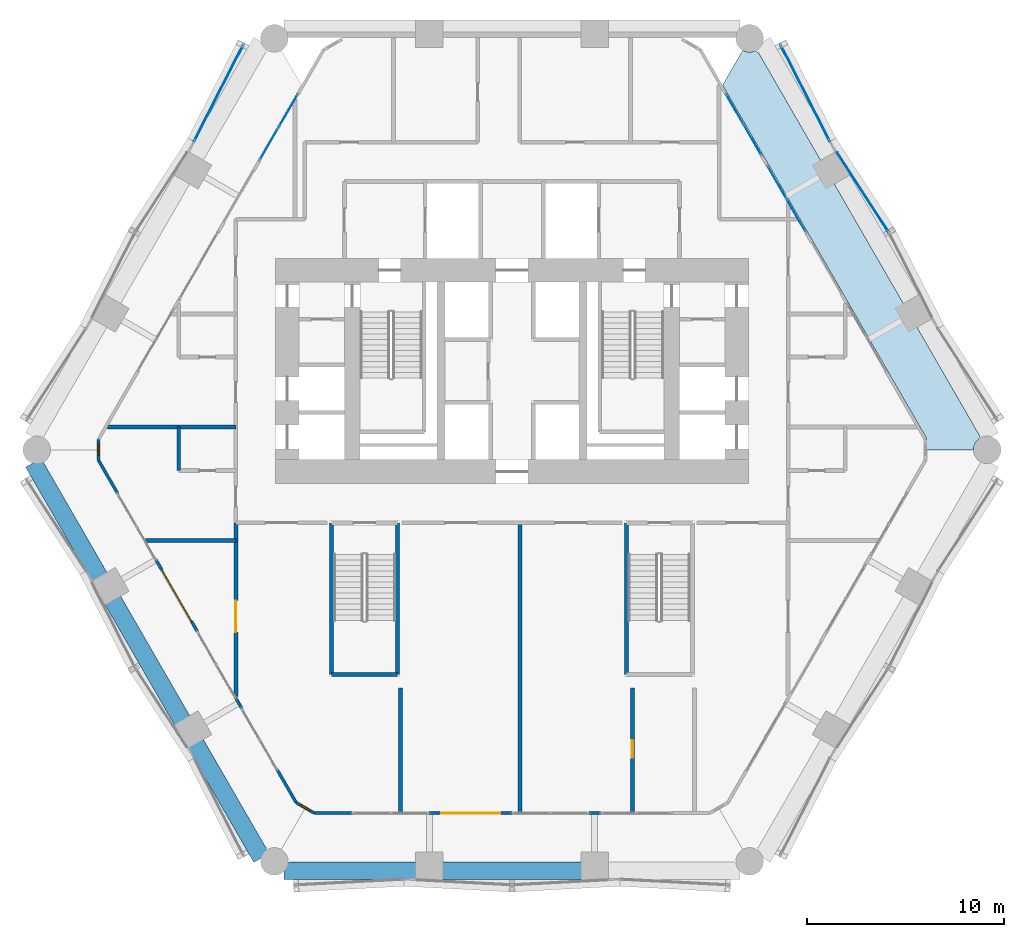
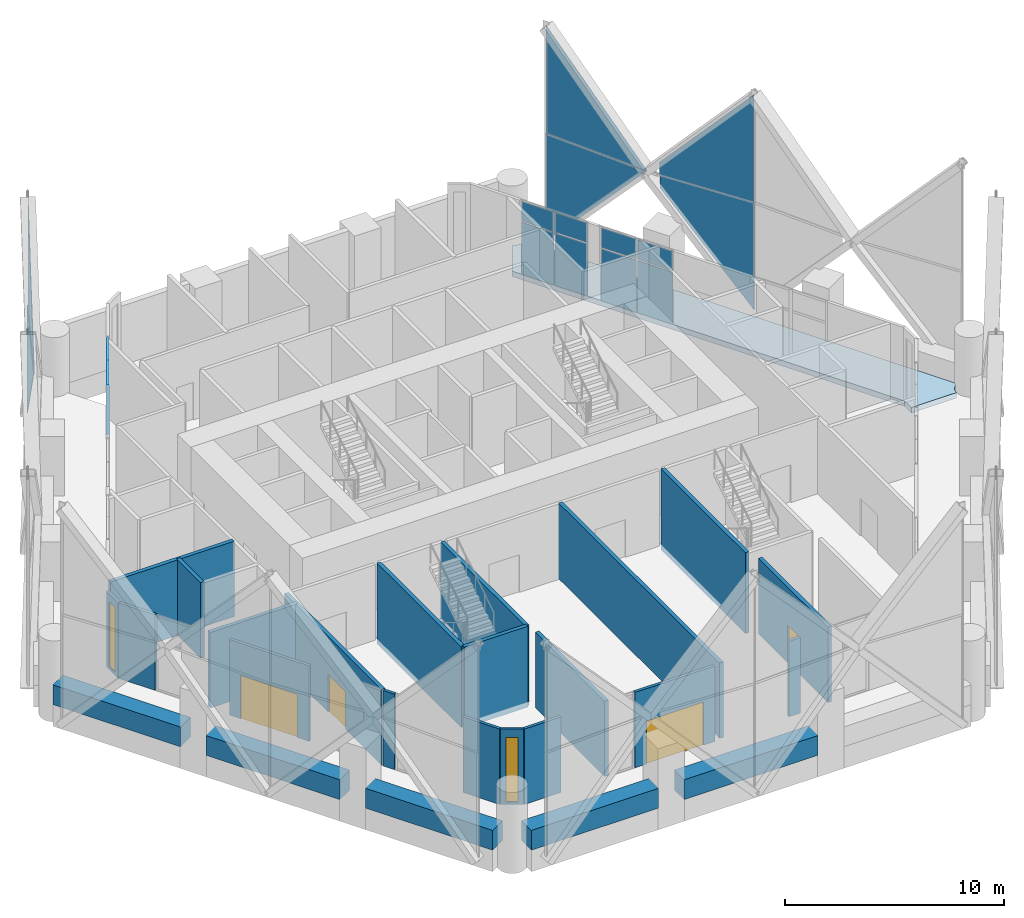
# One storey, part 36 of 46: 25 walls, 17 plates, 4 doors, 2 windows, 1 slab, 6 openings, 9 elements without a shape of their own.
"""IFC4 building model written with IfcOpenShell, lengths in metres."""

import ifcopenshell
import ifcopenshell.guid

model = None  # the IFC model being written
_history = None  # IfcOwnerHistory: only IFC2X3 demands one
_inside = {}  # id of a spatial element -> (the spatial element, [elements in it])
_under = {}  # id of a project, library or spatial element -> (it, [spatial elements below it])
_declared = {}  # id of a project -> (the project, [libraries it declares])
_typed = {}  # id of a type object -> (the type object, [elements of that type])
_made_of = {}  # id of a material, layer set ... -> (it, [elements and type objects made of it])


def new_model(schema):
    """Start an empty IFC model of exactly this schema.

    Asked for "IFC4X3", IfcOpenShell would pick the latest addendum, in which some entities
    have other attributes; the version numbers below select the first issue.
    IFC2X3 requires an IfcOwnerHistory on every rooted entity: one is made here for all.
    """
    global model, _history
    if schema == "IFC4X3":
        model = ifcopenshell.file(schema_version=(4, 3, 0, 0))
    else:
        model = ifcopenshell.file(schema=schema)
    _inside.clear()
    _under.clear()
    _declared.clear()
    _typed.clear()
    _made_of.clear()
    _history = None
    if model.schema == "IFC2X3":
        org = make("IfcOrganization", Name="unknown")
        user = make(
            "IfcPersonAndOrganization",
            ThePerson=make("IfcPerson", FamilyName="unknown"),
            TheOrganization=org,
        )
        app = make(
            "IfcApplication",
            ApplicationDeveloper=org,
            Version="unknown",
            ApplicationFullName="unknown",
            ApplicationIdentifier="unknown",
        )
        _history = make(
            "IfcOwnerHistory",
            OwningUser=user,
            OwningApplication=app,
            ChangeAction="ADDED",
            CreationDate=0,
        )
    return model


def make(cls, **values):
    """One entity of the class cls with the attributes given. An attribute that is None is left unset."""
    return model.create_entity(
        cls, **{name: value for name, value in values.items() if value is not None}
    )


def rooted(cls, **values):
    """An entity with a GlobalId (a new one), such as an element, a storey or a relation."""
    return make(cls, GlobalId=ifcopenshell.guid.new(), OwnerHistory=_history, **values)


def si_unit(unit_type, name, prefix=None):
    """IfcSIUnit, for example si_unit("LENGTHUNIT", "METRE", prefix="MILLI")."""
    return make("IfcSIUnit", UnitType=unit_type, Prefix=prefix, Name=name)


def assignment(units):
    """IfcUnitAssignment: the units of a project."""
    return None if units is None else make("IfcUnitAssignment", Units=units)


def point(xyz):
    """IfcCartesianPoint."""
    return None if xyz is None else make("IfcCartesianPoint", Coordinates=xyz)


def direction(xyz):
    """IfcDirection."""
    return None if xyz is None else make("IfcDirection", DirectionRatios=xyz)


def frame(location, z_axis=None, x_axis=None):
    """IfcAxis2Placement3D, a coordinate frame: its origin and axes. An axis left out is left unset."""
    return make(
        "IfcAxis2Placement3D",
        Location=point(location),
        Axis=direction(z_axis),
        RefDirection=direction(x_axis),
    )


def frame_2d(location, x_axis=None):
    """IfcAxis2Placement2D, a coordinate frame in the plane: its origin and x axis."""
    return make(
        "IfcAxis2Placement2D", Location=point(location), RefDirection=direction(x_axis)
    )


def origin():
    """The frame at (0, 0, 0) with its axes left unset."""
    return frame((0.0, 0.0, 0.0))


def origin_2d():
    """The frame at (0, 0) in the plane with its x axis left unset."""
    return frame_2d((0.0, 0.0))


def place(relative_to, where):
    """IfcLocalPlacement: puts the frame where relative to a parent placement (None: the world)."""
    return make(
        "IfcLocalPlacement", PlacementRelTo=relative_to, RelativePlacement=where
    )


def context(
    kind, dimensions, precision=None, world=None, true_north=None, identifier=None
):
    """IfcGeometricRepresentationContext, for example the 3D "Model" context."""
    return make(
        "IfcGeometricRepresentationContext",
        ContextIdentifier=identifier,
        ContextType=kind,
        CoordinateSpaceDimension=dimensions,
        Precision=precision,
        WorldCoordinateSystem=world,
        TrueNorth=true_north,
    )


def subcontext(parent, identifier, kind, view, scale=None):
    """IfcGeometricRepresentationSubContext, for example "Body" below "Model"."""
    return make(
        "IfcGeometricRepresentationSubContext",
        ContextIdentifier=identifier,
        ContextType=kind,
        ParentContext=parent,
        TargetScale=scale,
        TargetView=view,
    )


def project(units=None, contexts=None):
    """IfcProject with its units and contexts."""
    return rooted(
        "IfcProject",
        Name="project",
        RepresentationContexts=contexts,
        UnitsInContext=assignment(units),
    )


def spatial(cls, under=None, at=None, **own):
    """A site, building, storey or space (cls), placed at a placement, below another one or the project."""
    s = rooted(cls, ObjectPlacement=at, **own)
    if under is not None:
        _under.setdefault(under.id(), (under, []))[1].append(s)
    return s


def polyline(points):
    """IfcPolyline through the points."""
    return make("IfcPolyline", Points=[point(p) for p in points])


def profile(cls, at=None, kind="AREA", **sizes):
    """A parametric profile (cls). Its sizes go by their IFC names, for example OverallWidth=200.0."""
    return make(cls, ProfileType=kind, Position=at, **sizes)


def rectangle(**sizes):
    """IfcRectangleProfileDef."""
    return profile("IfcRectangleProfileDef", **sizes)


def outline(outer, holes=None, kind="AREA"):
    """IfcArbitraryClosedProfileDef: a profile drawn as a closed curve; with holes, ...WithVoids."""
    if holes is None:
        return make("IfcArbitraryClosedProfileDef", ProfileType=kind, OuterCurve=outer)
    return make(
        "IfcArbitraryProfileDefWithVoids",
        ProfileType=kind,
        OuterCurve=outer,
        InnerCurves=holes,
    )


def extrude(swept, where, along, depth):
    """IfcExtrudedAreaSolid: the profile swept, set in the frame where, extruded along a direction by depth."""
    return make(
        "IfcExtrudedAreaSolid",
        SweptArea=swept,
        Position=where,
        ExtrudedDirection=direction(along),
        Depth=depth,
    )


def shape(context_of_items, identifier, shape_type, items):
    """IfcShapeRepresentation: the items that make up one representation, for example the "Body"."""
    return make(
        "IfcShapeRepresentation",
        ContextOfItems=context_of_items,
        RepresentationIdentifier=identifier,
        RepresentationType=shape_type,
        Items=items,
    )


def material(Name=None, Category=None):
    """IfcMaterial."""
    return make("IfcMaterial", Name=Name, Category=Category)


def layer(
    of_material, thickness, ventilated=None, Name=None, Category=None, Priority=None
):
    """IfcMaterialLayer: one layer of a wall or slab, of a material (None: an air gap)."""
    return make(
        "IfcMaterialLayer",
        Material=of_material,
        LayerThickness=thickness,
        IsVentilated=ventilated,
        Name=Name,
        Category=Category,
        Priority=Priority,
    )


def layer_set(layers, Name=None):
    """IfcMaterialLayerSet."""
    return make("IfcMaterialLayerSet", MaterialLayers=layers, LayerSetName=Name)


def made_of(thing, what):
    """Note that an element or type object is made of a material, layer set ...; save() writes the relation."""
    if what is not None:
        _made_of.setdefault(what.id(), (what, []))[1].append(thing)
    return thing


def type_object(cls, material=None, **own):
    """A type object (cls), such as IfcWallType, which elements share."""
    return made_of(rooted(cls, **own), material)


def element(
    cls,
    number,
    at=None,
    inside=None,
    cuts=None,
    type_object=None,
    material=None,
    context=None,
    identifier="Body",
    shape_type=None,
    held_by="IfcProductDefinitionShape",
    body=None,
    shapes=None,
    **own,
):
    """One element of the class cls, such as IfcWall. Its Tag is "e" and its number.

    at: its placement. inside: the storey or other place that contains it. cuts: it is an
    opening in that element (IfcRelVoidsElement). A single representation is given by context,
    identifier, shape_type and body (its items); several are given by shapes. held_by: the class
    of the entity that holds the representations. save() writes the other relations.
    """
    e = rooted(cls, Tag="e%d" % number, ObjectPlacement=at, **own)
    if body is not None:
        shapes = [shape(context, identifier, shape_type, body)]
    if shapes is not None:
        e.Representation = make(held_by, Representations=shapes)
    if inside is not None:
        _inside.setdefault(inside.id(), (inside, []))[1].append(e)
    if cuts is not None:
        rooted(
            "IfcRelVoidsElement", RelatingBuildingElement=cuts, RelatedOpeningElement=e
        )
    if type_object is not None:
        _typed.setdefault(type_object.id(), (type_object, []))[1].append(e)
    return made_of(e, material)


def fill(opening, filler):
    """IfcRelFillsElement: the door or window that sits in an opening."""
    return rooted(
        "IfcRelFillsElement",
        RelatingOpeningElement=opening,
        RelatedBuildingElement=filler,
    )


def aggregate(whole, parts):
    """IfcRelAggregates: a whole, such as a stair, and the parts it consists of."""
    return rooted("IfcRelAggregates", RelatingObject=whole, RelatedObjects=parts)


def save(model, path):
    """Write the relations noted so far, then the file.

    IfcRelAggregates (storeys below a building ...), IfcRelContainedInSpatialStructure (elements
    in a storey), IfcRelDefinesByType, IfcRelAssociatesMaterial and IfcRelDeclares: one each for
    every whole, place, type object, material and project.
    """
    for whole, parts in _under.values():
        aggregate(whole, parts)
    for where, things in _inside.values():
        rooted(
            "IfcRelContainedInSpatialStructure",
            RelatedElements=things,
            RelatingStructure=where,
        )
    for kind, things in _typed.values():
        rooted("IfcRelDefinesByType", RelatedObjects=things, RelatingType=kind)
    for what, things in _made_of.values():
        rooted("IfcRelAssociatesMaterial", RelatedObjects=things, RelatingMaterial=what)
    for by, libraries in _declared.values():
        rooted("IfcRelDeclares", RelatingContext=by, RelatedDefinitions=libraries)
    model.write(path)


model = new_model("IFC4")

# Units and contexts
model_context = context("Model", 3, precision=1e-05, world=origin(), true_north=direction((0.0, 1.0)))
body_context = subcontext(model_context, "Body", "Model", "MODEL_VIEW")
ifc_project = project(units=[si_unit("LENGTHUNIT", "METRE"), si_unit("AREAUNIT", "SQUARE_METRE"), si_unit("VOLUMEUNIT", "CUBIC_METRE"), si_unit("PLANEANGLEUNIT", "RADIAN"), si_unit("MASSUNIT", "GRAM", prefix="KILO")], contexts=[model_context])

# Site, building, storey
site_placement = place(None, origin())
site = spatial("IfcSite", under=ifc_project, at=site_placement, CompositionType="ELEMENT")
building_placement = place(site_placement, origin())
building = spatial("IfcBuilding", under=site, at=building_placement, Name="Ostrander Bayou Hotel Tower", CompositionType="ELEMENT")
storey_placement = place(building_placement, frame((0.0, 0.0, 23.5)))
storey = spatial("IfcBuildingStorey", under=building, at=storey_placement, Name="L05", CompositionType="ELEMENT", Elevation=23.5)

# Curtain wall, plate
ifc_material_1 = material(Name="Aluminium and clear glass", Category="aluminium")
curtain_wall_type_1 = type_object("IfcCurtainWallType", Name="CW-LAT lattice glazing", PredefinedType="NOTDEFINED", material=ifc_material_1)
curtain_wall_1_placement = place(storey_placement, origin())
curtain_wall_1 = element("IfcCurtainWall", 1, at=curtain_wall_1_placement, inside=storey, type_object=curtain_wall_type_1, Name="CW-LAT L05 NW 3", PredefinedType="NOTDEFINED")
ifc_material_2 = material(Name="Clear laminated glass", Category="glass")
ifc_layer_1 = layer(ifc_material_2, 0.028076171875)
ifc_layer_set_1 = layer_set([ifc_layer_1], Name="CW-LA glazing panel 28 mm")
plate_type_1 = type_object("IfcPlateType", Name="CW-LA glazing panel 28 mm", PredefinedType="CURTAIN_PANEL", material=ifc_layer_set_1)
plate_1_placement = place(storey_placement, frame((-16.126953125, 15.63330078125, 5.39990234375), z_axis=(0.891017407703, -0.453969139007, 0.0), x_axis=(0.306235162835, 0.60105596943, -0.738208471)))
plate_1 = element("IfcPlate", 2, at=plate_1_placement, type_object=plate_type_1, Name="CW-LAT panel 1", PredefinedType="CURTAIN_PANEL", context=body_context, shape_type="SweptSolid", body=[
    extrude(outline(polyline([(0.0, 0.0), (8.127785355637263, 0.0), (3.6985345296381307, 4.047435869829935), (0.0, 0.0)])), origin(), (0.0, 0.0, -1.0), 0.028076171875),
])
aggregate(curtain_wall_1, [plate_1])

curtain_wall_2_placement = place(storey_placement, origin())
curtain_wall_2 = element("IfcCurtainWall", 3, at=curtain_wall_2_placement, inside=storey, type_object=curtain_wall_type_1, Name="CW-LAT L05 NW 4", PredefinedType="NOTDEFINED")
plate_2_placement = place(storey_placement, frame((-16.126953125, 15.63330078125, 5.39990234375), z_axis=(-0.891017407703, 0.453969139007, 0.0), x_axis=(0.306235162835, 0.60105596943, 0.738208471)))
plate_2 = element("IfcPlate", 4, at=plate_2_placement, type_object=plate_type_1, Name="CW-LAT panel 2", PredefinedType="CURTAIN_PANEL", context=body_context, shape_type="SweptSolid", body=[
    extrude(outline(polyline([(0.0, 0.0), (8.127785355637263, 0.0), (3.6985345296381307, 4.047435869829935), (0.0, 0.0)])), origin(), (0.0, 0.0, -1.0), 0.028076171875),
])
aggregate(curtain_wall_2, [plate_2])

curtain_wall_3_placement = place(storey_placement, origin())
curtain_wall_3 = element("IfcCurtainWall", 5, at=curtain_wall_3_placement, inside=storey, type_object=curtain_wall_type_1, Name="CW-LAT L05 NE 3", PredefinedType="NOTDEFINED")
plate_3_placement = place(storey_placement, frame((16.4912109375, 15.072509765625, 4.668212890625), z_axis=(-0.83866831588, -0.544642502875, 0.0), x_axis=(0.367406343741, -0.56575103471, -0.738199394002)))
plate_3 = element("IfcPlate", 6, at=plate_3_placement, type_object=plate_type_1, Name="CW-LAT panel 5", PredefinedType="CURTAIN_PANEL", context=body_context, shape_type="SweptSolid", body=[
    extrude(outline(polyline([(0.0, 0.0), (7.1367039714257245, 4.440892098500626e-16), (2.7075076074163613, 4.047495468687549), (-0.5401327108942082, 0.49358495766831795), (0.0, 0.0)])), origin(), (0.0, 0.0, -1.0), 0.028076171875),
])
aggregate(curtain_wall_3, [plate_3])

curtain_wall_4_placement = place(storey_placement, origin())
curtain_wall_4 = element("IfcCurtainWall", 7, at=curtain_wall_4_placement, inside=storey, type_object=curtain_wall_type_1, Name="CW-LAT L05 NE 4", PredefinedType="NOTDEFINED")
plate_4_placement = place(storey_placement, frame((16.4912109375, 15.072509765625, 6.1318359375), z_axis=(0.83866831588, 0.544642502875, 0.0), x_axis=(0.367415622055, -0.565765321932, 0.738183826136)))
plate_4 = element("IfcPlate", 8, at=plate_4_placement, type_object=plate_type_1, Name="CW-LAT panel 6", PredefinedType="CURTAIN_PANEL", context=body_context, shape_type="SweptSolid", body=[
    extrude(outline(polyline([(0.0, 0.0), (7.136523748864649, 4.440892098500626e-16), (2.707420792046409, 4.04759768231774), (-0.5403015407121209, 0.4937621196121656), (0.0, 0.0)])), origin(), (0.0, 0.0, -1.0), 0.028076171875),
])
aggregate(curtain_wall_4, [plate_4])

curtain_wall_5_placement = place(storey_placement, origin())
curtain_wall_5 = element("IfcCurtainWall", 9, at=curtain_wall_5_placement, inside=storey, type_object=curtain_wall_type_1, Name="CW-LAT L05 NE 1", PredefinedType="NOTDEFINED")
plate_5_placement = place(storey_placement, frame((16.126953125, 15.63330078125, 5.39990234375), z_axis=(0.891017407703, 0.453969139007, 0.0), x_axis=(-0.306235162835, 0.60105596943, -0.738208471)))
plate_5 = element("IfcPlate", 10, at=plate_5_placement, type_object=plate_type_1, Name="CW-LAT panel 7", PredefinedType="CURTAIN_PANEL", context=body_context, shape_type="SweptSolid", body=[
    extrude(outline(polyline([(0.0, 0.0), (8.127785355637263, 0.0), (3.6985345296381307, 4.047435869829935), (0.0, 0.0)])), origin(), (0.0, 0.0, -1.0), 0.028076171875),
])
aggregate(curtain_wall_5, [plate_5])

curtain_wall_6_placement = place(storey_placement, origin())
curtain_wall_6 = element("IfcCurtainWall", 11, at=curtain_wall_6_placement, inside=storey, type_object=curtain_wall_type_1, Name="CW-LAT L05 NE 2", PredefinedType="NOTDEFINED")
plate_6_placement = place(storey_placement, frame((16.126953125, 15.63330078125, 5.39990234375), z_axis=(-0.891017407703, -0.453969139007, 0.0), x_axis=(-0.306235162835, 0.60105596943, 0.738208471)))
plate_6 = element("IfcPlate", 12, at=plate_6_placement, type_object=plate_type_1, Name="CW-LAT panel 8", PredefinedType="CURTAIN_PANEL", context=body_context, shape_type="SweptSolid", body=[
    extrude(outline(polyline([(0.0, 0.0), (8.127785355637263, 0.0), (3.6985345296381307, 4.047435869829935), (0.0, 0.0)])), origin(), (0.0, 0.0, -1.0), 0.028076171875),
])
aggregate(curtain_wall_6, [plate_6])

# Curtain wall, plates
ifc_material_3 = material(Name="Aluminium and clear glass", Category="aluminium")
curtain_wall_type_2 = type_object("IfcCurtainWallType", Name="CW-SKY amenity glass wall", PredefinedType="NOTDEFINED", material=ifc_material_3)
curtain_wall_7_placement = place(storey_placement, origin())
curtain_wall_7 = element("IfcCurtainWall", 13, at=curtain_wall_7_placement, inside=storey, type_object=curtain_wall_type_2, Name="CW-SKY L05 NW 1", PredefinedType="NOTDEFINED")
ifc_material_4 = material(Name="Clear laminated glass", Category="glass")
ifc_layer_2 = layer(ifc_material_4, 0.028076171875)
ifc_layer_set_2 = layer_set([ifc_layer_2], Name="CW-SK glazing panel 28 mm")
plate_type_2 = type_object("IfcPlateType", Name="CW-SK glazing panel 28 mm", PredefinedType="CURTAIN_PANEL", material=ifc_layer_set_2)
plate_7_placement = place(storey_placement, frame((-11.3515625, 17.188720703125, 0.06005859375), z_axis=(0.0, 0.0, 1.0), x_axis=(-0.499999897278, -0.866025463091, 0.0)))
plate_7 = element("IfcPlate", 14, at=plate_7_placement, type_object=plate_type_2, Name="CW-SKY panel 1.1", PredefinedType="CURTAIN_PANEL", context=body_context, shape_type="SweptSolid", body=[
    extrude(rectangle(XDim=1.860107421875, YDim=0.028076171875, at=origin_2d()), origin(), (0.0, 0.0, 1.0), 2.909912109375),
])
plate_8_placement = place(storey_placement, frame((-11.3515625, 17.188720703125, 3.02978515625), z_axis=(0.0, 0.0, 1.0), x_axis=(-0.499999897278, -0.866025463091, 0.0)))
plate_8 = element("IfcPlate", 15, at=plate_8_placement, type_object=plate_type_2, Name="CW-SKY panel 1.2", PredefinedType="CURTAIN_PANEL", context=body_context, shape_type="SweptSolid", body=[
    extrude(rectangle(XDim=1.860107421875, YDim=0.028076171875, at=origin_2d()), origin(), (0.0, 0.0, 1.0), 1.110107421875),
])
plate_9_placement = place(storey_placement, frame((-12.3115234375, 15.52587890625, 3.02978515625), z_axis=(0.0, 0.0, 1.0), x_axis=(-0.499999897278, -0.866025463091, 0.0)))
plate_9 = element("IfcPlate", 16, at=plate_9_placement, type_object=plate_type_2, Name="CW-SKY panel 2.2", PredefinedType="CURTAIN_PANEL", context=body_context, shape_type="SweptSolid", body=[
    extrude(rectangle(XDim=1.860107421875, YDim=0.028076171875, at=origin_2d()), origin(), (0.0, 0.0, 1.0), 1.110107421875),
])
aggregate(curtain_wall_7, [plate_7, plate_8, plate_9])

curtain_wall_8_placement = place(storey_placement, origin())
curtain_wall_8 = element("IfcCurtainWall", 17, at=curtain_wall_8_placement, inside=storey, type_object=curtain_wall_type_2, Name="CW-SKY L05 NE 4", PredefinedType="NOTDEFINED")
plate_10_placement = place(storey_placement, frame((14.41162109375, 11.888671875, 0.06005859375), z_axis=(0.0, 0.0, 1.0), x_axis=(-0.499999897278, 0.866025463091, 0.0)))
plate_10 = element("IfcPlate", 18, at=plate_10_placement, type_object=plate_type_2, Name="CW-SKY panel 1.1", PredefinedType="CURTAIN_PANEL", context=body_context, shape_type="SweptSolid", body=[
    extrude(rectangle(XDim=1.860107421875, YDim=0.028076171875, at=origin_2d()), origin(), (0.0, 0.0, 1.0), 2.909912109375),
])
plate_11_placement = place(storey_placement, frame((14.41162109375, 11.888671875, 3.02978515625), z_axis=(0.0, 0.0, 1.0), x_axis=(-0.499999897278, 0.866025463091, 0.0)))
plate_11 = element("IfcPlate", 19, at=plate_11_placement, type_object=plate_type_2, Name="CW-SKY panel 1.2", PredefinedType="CURTAIN_PANEL", context=body_context, shape_type="SweptSolid", body=[
    extrude(rectangle(XDim=1.860107421875, YDim=0.028076171875, at=origin_2d()), origin(), (0.0, 0.0, 1.0), 1.110107421875),
])
plate_12_placement = place(storey_placement, frame((13.451416015625, 13.55126953125, 0.06005859375), z_axis=(0.0, 0.0, 1.0), x_axis=(-0.499999897278, 0.866025463091, 0.0)))
plate_12 = element("IfcPlate", 20, at=plate_12_placement, type_object=plate_type_2, Name="CW-SKY panel 2.1", PredefinedType="CURTAIN_PANEL", context=body_context, shape_type="SweptSolid", body=[
    extrude(rectangle(XDim=1.860107421875, YDim=0.028076171875, at=origin_2d()), origin(), (0.0, 0.0, 1.0), 2.909912109375),
])
plate_13_placement = place(storey_placement, frame((13.451416015625, 13.55126953125, 3.02978515625), z_axis=(0.0, 0.0, 1.0), x_axis=(-0.499999897278, 0.866025463091, 0.0)))
plate_13 = element("IfcPlate", 21, at=plate_13_placement, type_object=plate_type_2, Name="CW-SKY panel 2.2", PredefinedType="CURTAIN_PANEL", context=body_context, shape_type="SweptSolid", body=[
    extrude(rectangle(XDim=1.860107421875, YDim=0.028076171875, at=origin_2d()), origin(), (0.0, 0.0, 1.0), 1.110107421875),
])
aggregate(curtain_wall_8, [plate_10, plate_11, plate_12, plate_13])

curtain_wall_9_placement = place(storey_placement, origin())
curtain_wall_9 = element("IfcCurtainWall", 22, at=curtain_wall_9_placement, inside=storey, type_object=curtain_wall_type_2, Name="CW-SKY L05 NE 5", PredefinedType="NOTDEFINED")
plate_14_placement = place(storey_placement, frame((12.198974609375, 15.720703125, 0.06005859375), z_axis=(0.0, 0.0, 1.0), x_axis=(-0.499998972029, 0.866025997283, 0.0)))
plate_14 = element("IfcPlate", 23, at=plate_14_placement, type_object=plate_type_2, Name="CW-SKY panel 1.1", PredefinedType="CURTAIN_PANEL", context=body_context, shape_type="SweptSolid", body=[
    extrude(rectangle(XDim=1.7099609375, YDim=0.028076171875, at=origin_2d()), origin(), (0.0, 0.0, 1.0), 2.909912109375),
])
plate_15_placement = place(storey_placement, frame((12.198974609375, 15.720703125, 3.02978515625), z_axis=(0.0, 0.0, 1.0), x_axis=(-0.499998972029, 0.866025997283, 0.0)))
plate_15 = element("IfcPlate", 24, at=plate_15_placement, type_object=plate_type_2, Name="CW-SKY panel 1.2", PredefinedType="CURTAIN_PANEL", context=body_context, shape_type="SweptSolid", body=[
    extrude(rectangle(XDim=1.7099609375, YDim=0.028076171875, at=origin_2d()), origin(), (0.0, 0.0, 1.0), 1.110107421875),
])
plate_16_placement = place(storey_placement, frame((11.31396484375, 17.253662109375, 0.06005859375), z_axis=(0.0, 0.0, 1.0), x_axis=(-0.499998972029, 0.866025997283, 0.0)))
plate_16 = element("IfcPlate", 25, at=plate_16_placement, type_object=plate_type_2, Name="CW-SKY panel 2.1", PredefinedType="CURTAIN_PANEL", context=body_context, shape_type="SweptSolid", body=[
    extrude(rectangle(XDim=1.7099609375, YDim=0.028076171875, at=origin_2d()), origin(), (0.0, 0.0, 1.0), 2.909912109375),
])
plate_17_placement = place(storey_placement, frame((11.31396484375, 17.253662109375, 3.02978515625), z_axis=(0.0, 0.0, 1.0), x_axis=(-0.499998972029, 0.866025997283, 0.0)))
plate_17 = element("IfcPlate", 26, at=plate_17_placement, type_object=plate_type_2, Name="CW-SKY panel 2.2", PredefinedType="CURTAIN_PANEL", context=body_context, shape_type="SweptSolid", body=[
    extrude(rectangle(XDim=1.7099609375, YDim=0.028076171875, at=origin_2d()), origin(), (0.0, 0.0, 1.0), 1.110107421875),
])
aggregate(curtain_wall_9, [plate_14, plate_15, plate_16, plate_17])

# Slab
ifc_material_5 = material(Name="Concrete f'c 40 MPa", Category="concrete")
ifc_layer_3 = layer(ifc_material_5, 0.300048828125)
ifc_layer_set_3 = layer_set([ifc_layer_3], Name="SL4 loggia slab 300 mm f'c 40 MPa")
slab_type = type_object("IfcSlabType", Name="SL4 loggia slab 300 mm f'c 40 MPa", PredefinedType="FLOOR", material=ifc_layer_set_3)
slab_placement = place(storey_placement, frame((0.0, 0.0, -0.300048828125)))
element("IfcSlab", 27, at=slab_placement, inside=storey, type_object=slab_type, Name="SL4 LOGGIA L05 NE 1", PredefinedType="FLOOR", context=body_context, shape_type="SweptSolid", body=[
    extrude(outline(polyline([(11.7021484375, 20.2685546875), (11.78271484375, 20.2255859375), (11.9140625, 20.185791015625), (12.050537109375, 20.172119140625), (12.187255859375, 20.185791015625), (12.318603515625, 20.2255859375), (12.344482421875, 20.239501953125), (12.49951171875, 20.14990234375), (13.924560546875, 17.681884765625), (14.598388671875, 16.5146484375), (15.667236328125, 14.66357421875), (16.337158203125, 13.503173828125), (19.862548828125, 7.39697265625), (20.53271484375, 6.236328125), (23.7001953125, 0.75), (23.7001953125, 0.572021484375), (23.606201171875, 0.4951171875), (23.519287109375, 0.388916015625), (23.45458984375, 0.267822265625), (23.41455078125, 0.13671875), (23.401123046875, 0.0), (21.015380859375, 0.0), (21.015380859375, 0.60009765625), (10.680908203125, 18.5), (11.7021484375, 20.2685546875)])), origin(), (0.0, 0.0, 1.0), 0.300048828125),
])

# Wall, opening, door
ifc_material_6 = material(Name="Aluminium framed insulated wall", Category="aluminium")
ifc_layer_4 = layer(ifc_material_6, 0.14990234375)
ifc_layer_set_4 = layer_set([ifc_layer_4], Name="GW1 glass-line wall 150 mm")
wall_type_1 = type_object("IfcWallType", Name="GW1 glass-line wall 150 mm", PredefinedType="SOLIDWALL", material=ifc_layer_set_4)
wall_1_placement = place(storey_placement, frame((-18.056396484375, -5.5751953125, 0.0), z_axis=(0.0, 0.0, 1.0), x_axis=(0.49998411664, -0.866034573852, 0.0)))
wall_1 = element("IfcWall", 28, at=wall_1_placement, inside=storey, type_object=wall_type_1, Name="GW1 L05 SW 2", PredefinedType="SOLIDWALL", context=body_context, shape_type="SweptSolid", body=[
    extrude(rectangle(XDim=4.199951171875, YDim=0.14990234375, at=frame_2d((2.10009765625, 0.0))), origin(), (0.0, 0.0, 1.0), 4.199951171875),
])
opening_1_placement = place(wall_1_placement, frame((0.60009765625, 0.0, 0.0)))
opening_1 = element("IfcOpeningElement", 29, at=opening_1_placement, cuts=wall_1, Name="Opening T05-801", PredefinedType="OPENING", context=body_context, shape_type="SweptSolid", body=[
    extrude(rectangle(XDim=3.0, YDim=2.39990234375, at=frame_2d((1.5, 1.199951171875))), frame((0.0, 0.074951171875, 0.0), z_axis=(0.0, -1.0, 0.0), x_axis=(1.0, 0.0, 0.0)), (0.0, 0.0, 1.0), 0.14990234375),
])
ifc_material_7 = material(Name="Aluminium and clear glass", Category="aluminium")
door_type_1 = type_object("IfcDoorType", Name="SD5 sliding glass door 3000 mm", OperationType="SLIDING_TO_LEFT", PredefinedType="DOOR", material=ifc_material_7)
door_1_placement = place(opening_1_placement, origin())
door_1 = element("IfcDoor", 30, at=door_1_placement, inside=storey, type_object=door_type_1, Name="SD5 L05 SW 2", OperationType="SLIDING_TO_RIGHT", OverallHeight=2.39990234375, OverallWidth=3.0, PredefinedType="DOOR", context=body_context, shape_type="SweptSolid", body=[
    extrude(rectangle(XDim=3.0, YDim=2.39990234375, at=frame_2d((1.5, 1.199951171875))), frame((0.0, 0.02490234375, 0.0), z_axis=(0.0, -1.0, 0.0), x_axis=(1.0, 0.0, 0.0)), (0.0, 0.0, 1.0), 0.050048828125),
])
fill(opening_1, door_1)

# Walls
for number, where, z_axis, x_axis, name in (
    (31, (-20.968017578125, -0.532470703125, 0.0), (0.0, 0.0, 1.0), (0.499989888488, -0.86603124159, 0.0), "GW1 L05 SW end 1"),
    (32, (-11.906494140625, -16.227294921875, 0.0), (0.0, 0.0, 1.0), (0.499989888488, -0.86603124159, 0.0), "GW1 L05 SW end 2"),
):
    element("IfcWall", number, at=place(storey_placement, frame(where, z_axis=z_axis, x_axis=x_axis)), inside=storey, type_object=wall_type_1, Name=name, PredefinedType="SOLIDWALL", context=body_context, shape_type="SweptSolid", body=[
        extrude(rectangle(XDim=1.9228515625, YDim=0.14990234375, at=frame_2d((0.96142578125, 0.0))), origin(), (0.0, 0.0, 1.0), 4.199951171875),
    ])
wall_2_placement = place(storey_placement, frame((-14.006591796875, -12.590087890625, 0.0), z_axis=(0.0, 0.0, 1.0), x_axis=(0.50012165622, -0.865955154139, 0.0)))
element("IfcWall", 33, at=wall_2_placement, inside=storey, type_object=wall_type_1, Name="GW1 L05 SW pier 4", PredefinedType="SOLIDWALL", context=body_context, shape_type="SweptSolid", body=[
    extrude(rectangle(XDim=0.599853515625, YDim=0.14990234375, at=frame_2d((0.2998046875, 0.0))), origin(), (0.0, 0.0, 1.0), 4.199951171875),
])

# Wall, opening, door
wall_3_placement = place(storey_placement, frame((-4.199951171875, -18.425048828125, 0.0), z_axis=(0.0, 0.0, 1.0), x_axis=(1.0, 0.0, 0.0)))
wall_3 = element("IfcWall", 34, at=wall_3_placement, inside=storey, type_object=wall_type_1, Name="GW1 L05 S 2", PredefinedType="SOLIDWALL", context=body_context, shape_type="SweptSolid", body=[
    extrude(rectangle(XDim=4.199951171875, YDim=0.14990234375, at=frame_2d((2.10009765625, 0.0))), origin(), (0.0, 0.0, 1.0), 4.199951171875),
])
opening_2_placement = place(wall_3_placement, frame((0.60009765625, 0.0, 0.0)))
opening_2 = element("IfcOpeningElement", 35, at=opening_2_placement, cuts=wall_3, Name="Opening T05-802", PredefinedType="OPENING", context=body_context, shape_type="SweptSolid", body=[
    extrude(rectangle(XDim=3.0, YDim=2.39990234375, at=frame_2d((1.5, 1.199951171875))), frame((0.0, 0.074951171875, 0.0), z_axis=(0.0, -1.0, 0.0), x_axis=(1.0, 0.0, 0.0)), (0.0, 0.0, 1.0), 0.14990234375),
])
door_2_placement = place(opening_2_placement, origin())
door_2 = element("IfcDoor", 36, at=door_2_placement, inside=storey, type_object=door_type_1, Name="SD5 L05 S 2", OperationType="SLIDING_TO_RIGHT", OverallHeight=2.39990234375, OverallWidth=3.0, PredefinedType="DOOR", context=body_context, shape_type="SweptSolid", body=[
    extrude(rectangle(XDim=3.0, YDim=2.39990234375, at=frame_2d((1.5, 1.199951171875))), frame((0.0, 0.02490234375, 0.0), z_axis=(0.0, -1.0, 0.0), x_axis=(1.0, 0.0, 0.0)), (0.0, 0.0, 1.0), 0.050048828125),
])
fill(opening_2, door_2)

# Walls
wall_4_placement = place(storey_placement, frame((-10.022705078125, -18.425048828125, 0.0), z_axis=(0.0, 0.0, 1.0), x_axis=(1.0, 0.0, 0.0)))
element("IfcWall", 37, at=wall_4_placement, inside=storey, type_object=wall_type_1, Name="GW1 L05 S end 1", PredefinedType="SOLIDWALL", context=body_context, shape_type="SweptSolid", body=[
    extrude(rectangle(XDim=1.922607421875, YDim=0.14990234375, at=frame_2d((0.96142578125, 0.0))), origin(), (0.0, 0.0, 1.0), 4.199951171875),
])
wall_5_placement = place(storey_placement, frame((3.89990234375, -18.425048828125, 0.0), z_axis=(0.0, 0.0, 1.0), x_axis=(1.0, 0.0, 0.0)))
element("IfcWall", 38, at=wall_5_placement, inside=storey, type_object=wall_type_1, Name="GW1 L05 S pier 4", PredefinedType="SOLIDWALL", context=body_context, shape_type="SweptSolid", body=[
    extrude(rectangle(XDim=0.60009765625, YDim=0.14990234375, at=frame_2d((0.300048828125, 0.0))), origin(), (0.0, 0.0, 1.0), 4.199951171875),
])

# Wall, opening, window
wall_6_placement = place(storey_placement, frame((-20.968017578125, 0.532470703125, 0.0), z_axis=(0.0, 0.0, 1.0), x_axis=(0.0, -1.0, 0.0)))
wall_6 = element("IfcWall", 39, at=wall_6_placement, inside=storey, type_object=wall_type_1, Name="GW1 L05 corner 2", PredefinedType="SOLIDWALL", context=body_context, shape_type="SweptSolid", body=[
    extrude(rectangle(XDim=1.06494140625, YDim=0.14990234375, at=frame_2d((0.532470703125, 0.0))), origin(), (0.0, 0.0, 1.0), 4.199951171875),
])
opening_3_placement = place(wall_6_placement, frame((0.257568359375, 0.0, 0.14990234375)))
opening_3 = element("IfcOpeningElement", 40, at=opening_3_placement, cuts=wall_6, Name="Opening W19", PredefinedType="OPENING", context=body_context, shape_type="SweptSolid", body=[
    extrude(rectangle(XDim=0.550048828125, YDim=3.60009765625, at=frame_2d((0.27490234375, 1.800048828125))), frame((0.0, 0.074951171875, 0.0), z_axis=(0.0, -1.0, 0.0), x_axis=(1.0, 0.0, 0.0)), (0.0, 0.0, 1.0), 0.14990234375),
])
ifc_material_8 = material(Name="Aluminium and clear glass", Category="aluminium")
window_type = type_object("IfcWindowType", Name="W19 corner window 550 mm", PartitioningType="SINGLE_PANEL", PredefinedType="WINDOW", material=ifc_material_8)
window_1_placement = place(opening_3_placement, origin())
window_1 = element("IfcWindow", 41, at=window_1_placement, inside=storey, type_object=window_type, Name="W19 L05 corner 2", OverallHeight=3.60009765625, OverallWidth=0.550048828125, PartitioningType="SINGLE_PANEL", PredefinedType="WINDOW", context=body_context, shape_type="SweptSolid", body=[
    extrude(rectangle(XDim=0.550048828125, YDim=3.60009765625, at=frame_2d((0.27490234375, 1.800048828125))), frame((0.0, 0.030029296875, 0.0), z_axis=(0.0, -1.0, 0.0), x_axis=(1.0, 0.0, 0.0)), (0.0, 0.0, 1.0), 0.06005859375),
])
fill(opening_3, window_1)

wall_7_placement = place(storey_placement, frame((-10.945068359375, -17.892578125, 0.0), z_axis=(0.0, 0.0, 1.0), x_axis=(0.866048165231, -0.499960573946, 0.0)))
wall_7 = element("IfcWall", 42, at=wall_7_placement, inside=storey, type_object=wall_type_1, Name="GW1 L05 corner 3", PredefinedType="SOLIDWALL", context=body_context, shape_type="SweptSolid", body=[
    extrude(rectangle(XDim=1.06494140625, YDim=0.14990234375, at=frame_2d((0.532470703125, 0.0))), origin(), (0.0, 0.0, 1.0), 4.199951171875),
])
opening_4_placement = place(wall_7_placement, frame((0.257568359375, 0.0, 0.14990234375)))
opening_4 = element("IfcOpeningElement", 43, at=opening_4_placement, cuts=wall_7, Name="Opening W19", PredefinedType="OPENING", context=body_context, shape_type="SweptSolid", body=[
    extrude(rectangle(XDim=0.550048828125, YDim=3.60009765625, at=frame_2d((0.27490234375, 1.800048828125))), frame((0.0, 0.074951171875, 0.0), z_axis=(0.0, -1.0, 0.0), x_axis=(1.0, 0.0, 0.0)), (0.0, 0.0, 1.0), 0.14990234375),
])
window_2_placement = place(opening_4_placement, origin())
window_2 = element("IfcWindow", 44, at=window_2_placement, inside=storey, type_object=window_type, Name="W19 L05 corner 3", OverallHeight=3.60009765625, OverallWidth=0.550048828125, PartitioningType="SINGLE_PANEL", PredefinedType="WINDOW", context=body_context, shape_type="SweptSolid", body=[
    extrude(rectangle(XDim=0.550048828125, YDim=3.60009765625, at=frame_2d((0.27490234375, 1.800048828125))), frame((0.0, 0.030029296875, 0.0), z_axis=(0.0, -1.0, 0.0), x_axis=(1.0, 0.0, 0.0)), (0.0, 0.0, 1.0), 0.06005859375),
])
fill(opening_4, window_2)

# Walls
ifc_material_9 = material(Name="Concrete f'c 40 MPa", Category="concrete")
ifc_layer_5 = layer(ifc_material_9, 0.89990234375)
ifc_layer_set_5 = layer_set([ifc_layer_5], Name="PA1 stone-faced parapet 900 mm")
wall_type_2 = type_object("IfcWallType", Name="PA1 stone-faced parapet 900 mm", PredefinedType="PARAPET", material=ifc_layer_set_5)
wall_8_placement = place(storey_placement, frame((-11.569091796875, -21.35009765625, 0.0), z_axis=(0.0, 0.0, 1.0), x_axis=(1.0, 0.0, 0.0)))
element("IfcWall", 45, at=wall_8_placement, inside=storey, type_object=wall_type_2, Name="PA1 L05 S-1", PredefinedType="PARAPET", context=body_context, shape_type="SweptSolid", body=[
    extrude(rectangle(XDim=6.70361328125, YDim=0.89990234375, at=frame_2d((3.351806640625, 0.0))), origin(), (0.0, 0.0, 1.0), 1.10009765625),
])
wall_9_placement = place(storey_placement, frame((-3.525390625, -21.35009765625, 0.0), z_axis=(0.0, 0.0, 1.0), x_axis=(1.0, 0.0, 0.0)))
element("IfcWall", 46, at=wall_9_placement, inside=storey, type_object=wall_type_2, Name="PA1 L05 S-2", PredefinedType="PARAPET", context=body_context, shape_type="SweptSolid", body=[
    extrude(rectangle(XDim=7.05078125, YDim=0.89990234375, at=frame_2d((3.525390625, 0.0))), origin(), (0.0, 0.0, 1.0), 1.10009765625),
])
ifc_material_10 = material(Name="Limestone masonry", Category="masonry")
ifc_layer_6 = layer(ifc_material_10, 0.89990234375)
ifc_layer_set_6 = layer_set([ifc_layer_6], Name="PA2 limestone parapet 900 mm")
wall_type_3 = type_object("IfcWallType", Name="PA2 limestone parapet 900 mm", PredefinedType="PARAPET", material=ifc_layer_set_6)
wall_10_placement = place(storey_placement, frame((-24.274169921875, -0.656005859375, 0.0), z_axis=(0.0, 0.0, 1.0), x_axis=(0.500005133765, -0.866022439784, 0.0)))
element("IfcWall", 47, at=wall_10_placement, inside=storey, type_object=wall_type_3, Name="PA2 L05 SW-1", PredefinedType="PARAPET", context=body_context, shape_type="SweptSolid", body=[
    extrude(rectangle(XDim=6.70361328125, YDim=0.89990234375, at=frame_2d((3.351806640625, 0.0))), origin(), (0.0, 0.0, 1.0), 1.10009765625),
])
wall_11_placement = place(storey_placement, frame((-20.252197265625, -7.621826171875, 0.0), z_axis=(0.0, 0.0, 1.0), x_axis=(0.499997206141, -0.866027016814, 0.0)))
element("IfcWall", 48, at=wall_11_placement, inside=storey, type_object=wall_type_3, Name="PA2 L05 SW-2", PredefinedType="PARAPET", context=body_context, shape_type="SweptSolid", body=[
    extrude(rectangle(XDim=7.05078125, YDim=0.89990234375, at=frame_2d((3.525390625, 0.0))), origin(), (0.0, 0.0, 1.0), 1.10009765625),
])
wall_12_placement = place(storey_placement, frame((-16.056884765625, -14.888671875, 0.0), z_axis=(0.0, 0.0, 1.0), x_axis=(0.500005133765, -0.866022439784, 0.0)))
element("IfcWall", 49, at=wall_12_placement, inside=storey, type_object=wall_type_3, Name="PA2 L05 SW-3", PredefinedType="PARAPET", context=body_context, shape_type="SweptSolid", body=[
    extrude(rectangle(XDim=6.70361328125, YDim=0.89990234375, at=frame_2d((3.351806640625, 0.0))), origin(), (0.0, 0.0, 1.0), 1.10009765625),
])
ifc_material_11 = material(Name="Gypsum board partition", Category="finish")
ifc_layer_7 = layer(ifc_material_11, 0.199951171875)
ifc_layer_set_7 = layer_set([ifc_layer_7], Name="PT3 demising wall 200 mm acoustic double stud, 1 hour")
wall_type_4 = type_object("IfcWallType", Name="PT3 demising wall 200 mm acoustic double stud, 1 hour", PredefinedType="PARTITIONING", material=ifc_layer_set_7)
wall_13_placement = place(storey_placement, frame((-18.598388671875, -4.60009765625, 0.0), z_axis=(0.0, 0.0, 1.0), x_axis=(1.0, 0.0, 0.0)))
element("IfcWall", 50, at=wall_13_placement, inside=storey, type_object=wall_type_4, Name="sw:L05:014", PredefinedType="PARTITIONING", context=body_context, shape_type="SweptSolid", body=[
    extrude(rectangle(XDim=4.598388671875, YDim=0.199951171875, at=frame_2d((2.29931640625, 0.0))), origin(), (0.0, 0.0, 1.0), 4.199951171875),
])
wall_14_placement = place(storey_placement, frame((-20.519775390625, 1.14990234375, 0.0), z_axis=(0.0, 0.0, 1.0), x_axis=(1.0, 0.0, 0.0)))
element("IfcWall", 51, at=wall_14_placement, inside=storey, type_object=wall_type_4, Name="sw:L05:018", PredefinedType="PARTITIONING", context=body_context, shape_type="SweptSolid", body=[
    extrude(rectangle(XDim=6.519775390625, YDim=0.199951171875, at=frame_2d((3.259765625, 0.0))), origin(), (0.0, 0.0, 1.0), 4.199951171875),
])
wall_15_placement = place(storey_placement, frame((-16.89990234375, -1.050048828125, 0.0), z_axis=(0.0, 0.0, 1.0), x_axis=(0.0, 1.0, 0.0)))
element("IfcWall", 52, at=wall_15_placement, inside=storey, type_object=wall_type_4, Name="sw:L05:024", PredefinedType="PARTITIONING", context=body_context, shape_type="SweptSolid", body=[
    extrude(rectangle(XDim=2.199951171875, YDim=0.199951171875, at=frame_2d((1.10009765625, 0.0))), origin(), (0.0, 0.0, 1.0), 4.199951171875),
])

# Wall, opening, door
wall_16_placement = place(storey_placement, frame((-14.0, -12.509033203125, 0.0), z_axis=(0.0, 0.0, 1.0), x_axis=(0.0, 1.0, 0.0)))
wall_16 = element("IfcWall", 53, at=wall_16_placement, inside=storey, type_object=wall_type_4, Name="sw:L05:026", PredefinedType="PARTITIONING", context=body_context, shape_type="SweptSolid", body=[
    extrude(rectangle(XDim=8.80908203125, YDim=0.199951171875, at=frame_2d((4.404541015625, 0.0))), origin(), (0.0, 0.0, 1.0), 4.199951171875),
])
opening_5_placement = place(wall_16_placement, frame((3.26318359375, 0.0, 0.0)))
opening_5 = element("IfcOpeningElement", 54, at=opening_5_placement, cuts=wall_16, Name="Opening T05-205", PredefinedType="OPENING", context=body_context, shape_type="SweptSolid", body=[
    extrude(rectangle(XDim=1.60009765625, YDim=2.10009765625, at=frame_2d((0.800048828125, 1.050048828125))), frame((0.0, 0.10009765625, 0.0), z_axis=(0.0, -1.0, 0.0), x_axis=(1.0, 0.0, 0.0)), (0.0, 0.0, 1.0), 0.199951171875),
])
ifc_material_12 = material(Name="Timber door leaf", Category="wood")
door_type_2 = type_object("IfcDoorType", Name="D13 double door 1600 x 2100 mm, 1 hour", OperationType="SINGLE_SWING_LEFT", PredefinedType="DOOR", material=ifc_material_12)
door_3_placement = place(opening_5_placement, origin())
door_3 = element("IfcDoor", 55, at=door_3_placement, inside=storey, type_object=door_type_2, Name="dr:L05:205", OperationType="DOUBLE_DOOR_SINGLE_SWING", OverallHeight=2.10009765625, OverallWidth=1.60009765625, PredefinedType="DOOR", context=body_context, shape_type="SweptSolid", body=[
    extrude(rectangle(XDim=1.60009765625, YDim=2.10009765625, at=frame_2d((0.800048828125, 1.050048828125))), frame((0.0, 0.02490234375, 0.0), z_axis=(0.0, -1.0, 0.0), x_axis=(1.0, 0.0, 0.0)), (0.0, 0.0, 1.0), 0.050048828125),
])
fill(opening_5, door_3)

# Walls
wall_17_placement = place(storey_placement, frame((-5.64990234375, -18.406005859375, 0.0), z_axis=(0.0, 0.0, 1.0), x_axis=(0.0, 1.0, 0.0)))
element("IfcWall", 56, at=wall_17_placement, inside=storey, type_object=wall_type_4, Name="sw:L05:029", PredefinedType="PARTITIONING", context=body_context, shape_type="SweptSolid", body=[
    extrude(rectangle(XDim=6.325927734375, YDim=0.199951171875, at=frame_2d((3.1630859375, 0.0))), origin(), (0.0, 0.0, 1.0), 4.199951171875),
])
wall_18_placement = place(storey_placement, frame((0.39990234375, -18.406005859375, 0.0), z_axis=(0.0, 0.0, 1.0), x_axis=(0.0, 1.0, 0.0)))
element("IfcWall", 57, at=wall_18_placement, inside=storey, type_object=wall_type_4, Name="sw:L05:030", PredefinedType="PARTITIONING", context=body_context, shape_type="SweptSolid", body=[
    extrude(rectangle(XDim=14.7060546875, YDim=0.199951171875, at=frame_2d((7.35302734375, 0.0))), origin(), (0.0, 0.0, 1.0), 4.199951171875),
])

# Wall, opening, door
wall_19_placement = place(storey_placement, frame((6.10009765625, -18.406005859375, 0.0), z_axis=(0.0, 0.0, 1.0), x_axis=(0.0, 1.0, 0.0)))
wall_19 = element("IfcWall", 58, at=wall_19_placement, inside=storey, type_object=wall_type_4, Name="sw:L05:032", PredefinedType="PARTITIONING", context=body_context, shape_type="SweptSolid", body=[
    extrude(rectangle(XDim=6.325927734375, YDim=0.199951171875, at=frame_2d((3.1630859375, 0.0))), origin(), (0.0, 0.0, 1.0), 4.199951171875),
])
opening_6_placement = place(wall_19_placement, frame((2.781005859375, 0.0, 0.0)))
opening_6 = element("IfcOpeningElement", 59, at=opening_6_placement, cuts=wall_19, Name="Opening T05-203", PredefinedType="OPENING", context=body_context, shape_type="SweptSolid", body=[
    extrude(rectangle(XDim=0.89990234375, YDim=2.10009765625, at=frame_2d((0.449951171875, 1.050048828125))), frame((0.0, 0.10009765625, 0.0), z_axis=(0.0, -1.0, 0.0), x_axis=(1.0, 0.0, 0.0)), (0.0, 0.0, 1.0), 0.199951171875),
])
ifc_material_13 = material(Name="Timber door leaf", Category="wood")
door_type_3 = type_object("IfcDoorType", Name="D8 room door 900 x 2100 mm", OperationType="SINGLE_SWING_LEFT", PredefinedType="DOOR", material=ifc_material_13)
door_4_placement = place(opening_6_placement, origin())
door_4 = element("IfcDoor", 60, at=door_4_placement, inside=storey, type_object=door_type_3, Name="dr:L05:203", OperationType="SINGLE_SWING_LEFT", OverallHeight=2.10009765625, OverallWidth=0.89990234375, PredefinedType="DOOR", context=body_context, shape_type="SweptSolid", body=[
    extrude(rectangle(XDim=0.89990234375, YDim=2.10009765625, at=frame_2d((0.449951171875, 1.050048828125))), frame((0.0, 0.02490234375, 0.0), z_axis=(0.0, -1.0, 0.0), x_axis=(1.0, 0.0, 0.0)), (0.0, 0.0, 1.0), 0.050048828125),
])
fill(opening_6, door_4)

# Walls
ifc_material_14 = material(Name="Concrete f'c 45 MPa", Category="concrete")
ifc_layer_8 = layer(ifc_material_14, 0.199951171875)
ifc_layer_set_8 = layer_set([ifc_layer_8], Name="SW5 stair enclosure wall 200 mm f'c 45 MPa")
wall_type_5 = type_object("IfcWallType", Name="SW5 stair enclosure wall 200 mm f'c 45 MPa", PredefinedType="SOLIDWALL", material=ifc_layer_set_8)
for number, where, z_axis, x_axis, name in (
    (61, (5.800048828125, -3.699951171875, -0.300048828125), (0.0, 0.0, 1.0), (0.0, -1.0, 0.0), "cs:L05:016"),
    (62, (-9.14990234375, -3.699951171875, -0.300048828125), (0.0, 0.0, 1.0), (0.0, -1.0, 0.0), "cs:L05:020"),
    (63, (-5.800048828125, -3.699951171875, -0.300048828125), (0.0, 0.0, 1.0), (0.0, -1.0, 0.0), "cs:L05:021"),
):
    element("IfcWall", number, at=place(storey_placement, frame(where, z_axis=z_axis, x_axis=x_axis)), inside=storey, type_object=wall_type_5, Name=name, PredefinedType="SOLIDWALL", context=body_context, shape_type="SweptSolid", body=[
        extrude(rectangle(XDim=7.699951171875, YDim=0.199951171875, at=frame_2d((3.85009765625, 0.0))), origin(), (0.0, 0.0, 1.0), 4.5),
    ])
wall_20_placement = place(storey_placement, frame((-9.14990234375, -11.39990234375, -0.300048828125), z_axis=(0.0, 0.0, 1.0), x_axis=(1.0, 0.0, 0.0)))
element("IfcWall", 64, at=wall_20_placement, inside=storey, type_object=wall_type_5, Name="cs:L05:022", PredefinedType="SOLIDWALL", context=body_context, shape_type="SweptSolid", body=[
    extrude(rectangle(XDim=3.349853515625, YDim=0.199951171875, at=frame_2d((1.6748046875, 0.0))), origin(), (0.0, 0.0, 1.0), 4.5),
])

save(model, "model.ifc")
